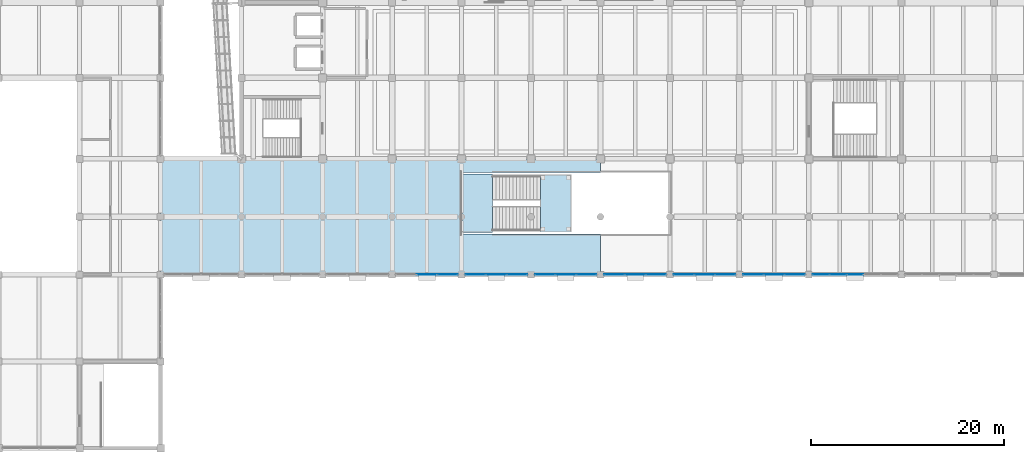
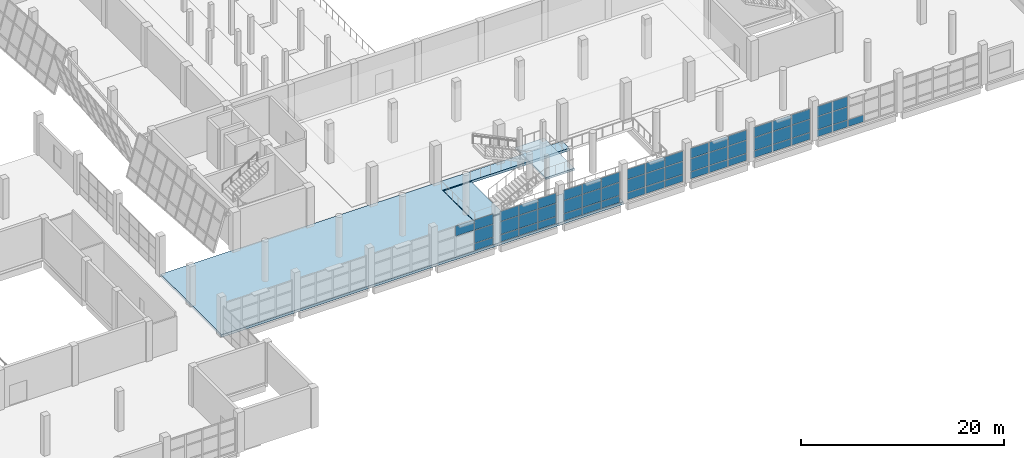
# One storey, part 68 of 91: 56 plates, 3 slabs, 8 elements without a shape of their own.
"""IFC4 building model written with IfcOpenShell, lengths in metres."""

from ifc_helpers import new_model, si_unit, direction, frame, origin, place, context, subcontext, project, spatial, polyline, outline, extrude, material, layer, layer_set, type_object, element, aggregate, save


model = new_model("IFC4")

# Units and contexts
model_context = context("Model", 3, precision=1e-05, world=origin(), true_north=direction((0.0, 1.0)))
body_context = subcontext(model_context, "Body", "Model", "MODEL_VIEW")
ifc_project = project(units=[si_unit("LENGTHUNIT", "METRE"), si_unit("AREAUNIT", "SQUARE_METRE"), si_unit("VOLUMEUNIT", "CUBIC_METRE"), si_unit("PLANEANGLEUNIT", "RADIAN"), si_unit("MASSUNIT", "GRAM", prefix="KILO")], contexts=[model_context])

# Site, building, storey
site_placement = place(None, origin())
site = spatial("IfcSite", under=ifc_project, at=site_placement, CompositionType="ELEMENT")
building_placement = place(site_placement, origin())
building = spatial("IfcBuilding", under=site, at=building_placement, Name="Pellamere Symphony Hall", CompositionType="ELEMENT")
storey_placement = place(building_placement, frame((0.0, 0.0, 5.39990234375)))
storey = spatial("IfcBuildingStorey", under=building, at=storey_placement, Name="L01", CompositionType="ELEMENT", Elevation=5.39990234375)

# Curtain wall, plates
ifc_material_1 = material(Name="Thermally Broken Anodised Aluminium 6063-T6 Curtain Wall", Category="aluminium")
curtain_wall_type = type_object("IfcCurtainWallType", Name="Curtain Wall CW-02 (Winter-Garden South Concourse Curtain Wall)", PredefinedType="NOTDEFINED", material=ifc_material_1)
curtain_wall_1_placement = place(storey_placement, origin())
curtain_wall_1 = element("IfcCurtainWall", 1, at=curtain_wall_1_placement, inside=storey, type_object=curtain_wall_type, Name="Winter-Garden South Curtain Wall (L01 Bay 4)", PredefinedType="NOTDEFINED")
ifc_material_2 = material(Name="Triple Low-E Argon Acoustic Glazing 36mm", Category="glass")
ifc_layer_1 = layer(ifc_material_2, 0.035888671875, Name="Triple Low-E Argon Acoustic Glazing 36mm")
ifc_layer_set_1 = layer_set([ifc_layer_1], Name="Triple Low-E Argon Acoustic Glazing 36mm")
plate_type_1 = type_object("IfcPlateType", Name="Facade Panel GL-01 36mm", PredefinedType="CURTAIN_PANEL", material=ifc_layer_set_1)
plate_1_placement = place(storey_placement, frame((68.549072265625, 18.0, 2.52734375), z_axis=(0.0, -1.0, 0.0), x_axis=(1.0, 0.0, 0.0)))
plate_1 = element("IfcPlate", 2, at=plate_1_placement, type_object=plate_type_1, Name="CW2-069 crystal glass panel 2.3", PredefinedType="CURTAIN_PANEL", context=body_context, shape_type="SweptSolid", body=[
    extrude(outline(polyline([(0.0, 0.0), (2.101806640625, 0.0), (2.101806640625, 1.187744140625), (0.0, 1.187744140625), (0.0, 0.0)])), origin(), (0.0, 0.0, -1.0), 0.035888671875),
])
plate_2_placement = place(storey_placement, frame((70.7158203125, 18.0, 0.065185546875), z_axis=(0.0, -1.0, 0.0), x_axis=(1.0, 0.0, 0.0)))
plate_2 = element("IfcPlate", 3, at=plate_2_placement, type_object=plate_type_1, Name="CW2-069 crystal glass panel 3.1", PredefinedType="CURTAIN_PANEL", context=body_context, shape_type="SweptSolid", body=[
    extrude(outline(polyline([(0.0, 0.0), (2.069091796875, 0.0), (2.069091796875, 0.8095703125), (0.0, 0.8095703125), (0.0, 0.0)])), origin(), (0.0, 0.0, -1.0), 0.035888671875),
])
plate_3_placement = place(storey_placement, frame((70.7158203125, 18.0, 0.939697265625), z_axis=(0.0, -1.0, 0.0), x_axis=(1.0, 0.0, 0.0)))
plate_3 = element("IfcPlate", 4, at=plate_3_placement, type_object=plate_type_1, Name="CW2-069 crystal glass panel 3.2", PredefinedType="CURTAIN_PANEL", context=body_context, shape_type="SweptSolid", body=[
    extrude(outline(polyline([(0.0, 0.0), (2.069091796875, 0.0), (2.069091796875, 1.522705078125), (0.0, 1.522705078125), (0.0, 0.0)])), origin(), (0.0, 0.0, -1.0), 0.035888671875),
])
plate_4_placement = place(storey_placement, frame((70.7158203125, 18.0, 2.52734375), z_axis=(0.0, -1.0, 0.0), x_axis=(1.0, 0.0, 0.0)))
plate_4 = element("IfcPlate", 5, at=plate_4_placement, type_object=plate_type_1, Name="CW2-069 crystal glass panel 3.3", PredefinedType="CURTAIN_PANEL", context=body_context, shape_type="SweptSolid", body=[
    extrude(outline(polyline([(0.0, 0.0), (2.069091796875, 0.0), (2.069091796875, 1.187744140625), (0.0, 1.187744140625), (0.0, 0.0)])), origin(), (0.0, 0.0, -1.0), 0.035888671875),
])
aggregate(curtain_wall_1, [plate_1, plate_2, plate_3, plate_4])

curtain_wall_2_placement = place(storey_placement, origin())
curtain_wall_2 = element("IfcCurtainWall", 6, at=curtain_wall_2_placement, inside=storey, type_object=curtain_wall_type, Name="Winter-Garden South Curtain Wall (L01 Bay 5)", PredefinedType="NOTDEFINED")
plate_5_placement = place(storey_placement, frame((73.614990234375, 18.0, 0.065185546875), z_axis=(0.0, -1.0, 0.0), x_axis=(1.0, 0.0, 0.0)))
plate_5 = element("IfcPlate", 7, at=plate_5_placement, type_object=plate_type_1, Name="CW2-070 crystal glass panel 1.1", PredefinedType="CURTAIN_PANEL", context=body_context, shape_type="SweptSolid", body=[
    extrude(outline(polyline([(0.0, 0.0), (2.069091796875, 0.0), (2.069091796875, 0.8095703125), (0.0, 0.8095703125), (0.0, 0.0)])), origin(), (0.0, 0.0, -1.0), 0.035888671875),
])
plate_6_placement = place(storey_placement, frame((73.614990234375, 18.0, 0.939697265625), z_axis=(0.0, -1.0, 0.0), x_axis=(1.0, 0.0, 0.0)))
plate_6 = element("IfcPlate", 8, at=plate_6_placement, type_object=plate_type_1, Name="CW2-070 crystal glass panel 1.2", PredefinedType="CURTAIN_PANEL", context=body_context, shape_type="SweptSolid", body=[
    extrude(outline(polyline([(0.0, 0.0), (2.069091796875, 0.0), (2.069091796875, 1.522705078125), (0.0, 1.522705078125), (0.0, 0.0)])), origin(), (0.0, 0.0, -1.0), 0.035888671875),
])
plate_7_placement = place(storey_placement, frame((73.614990234375, 18.0, 2.52734375), z_axis=(0.0, -1.0, 0.0), x_axis=(1.0, 0.0, 0.0)))
plate_7 = element("IfcPlate", 9, at=plate_7_placement, type_object=plate_type_1, Name="CW2-070 crystal glass panel 1.3", PredefinedType="CURTAIN_PANEL", context=body_context, shape_type="SweptSolid", body=[
    extrude(outline(polyline([(0.0, 0.0), (2.069091796875, 0.0), (2.069091796875, 1.187744140625), (0.0, 1.187744140625), (0.0, 0.0)])), origin(), (0.0, 0.0, -1.0), 0.035888671875),
])
plate_8_placement = place(storey_placement, frame((75.749267578125, 18.0, 0.065185546875), z_axis=(0.0, -1.0, 0.0), x_axis=(1.0, 0.0, 0.0)))
plate_8 = element("IfcPlate", 10, at=plate_8_placement, type_object=plate_type_1, Name="CW2-070 crystal glass panel 2.1", PredefinedType="CURTAIN_PANEL", context=body_context, shape_type="SweptSolid", body=[
    extrude(outline(polyline([(0.0, 0.0), (2.1015625, 0.0), (2.1015625, 0.8095703125), (0.0, 0.8095703125), (0.0, 0.0)])), origin(), (0.0, 0.0, -1.0), 0.035888671875),
])
plate_9_placement = place(storey_placement, frame((75.749267578125, 18.0, 0.939697265625), z_axis=(0.0, -1.0, 0.0), x_axis=(1.0, 0.0, 0.0)))
plate_9 = element("IfcPlate", 11, at=plate_9_placement, type_object=plate_type_1, Name="CW2-070 crystal glass panel 2.2", PredefinedType="CURTAIN_PANEL", context=body_context, shape_type="SweptSolid", body=[
    extrude(outline(polyline([(0.0, 0.0), (2.1015625, 0.0), (2.1015625, 1.522705078125), (0.0, 1.522705078125), (0.0, 0.0)])), origin(), (0.0, 0.0, -1.0), 0.035888671875),
])
plate_10_placement = place(storey_placement, frame((75.749267578125, 18.0, 2.52734375), z_axis=(0.0, -1.0, 0.0), x_axis=(1.0, 0.0, 0.0)))
plate_10 = element("IfcPlate", 12, at=plate_10_placement, type_object=plate_type_1, Name="CW2-070 crystal glass panel 2.3", PredefinedType="CURTAIN_PANEL", context=body_context, shape_type="SweptSolid", body=[
    extrude(outline(polyline([(0.0, 0.0), (2.1015625, 0.0), (2.1015625, 1.187744140625), (0.0, 1.187744140625), (0.0, 0.0)])), origin(), (0.0, 0.0, -1.0), 0.035888671875),
])
plate_11_placement = place(storey_placement, frame((77.915771484375, 18.0, 0.065185546875), z_axis=(0.0, -1.0, 0.0), x_axis=(1.0, 0.0, 0.0)))
plate_11 = element("IfcPlate", 13, at=plate_11_placement, type_object=plate_type_1, Name="CW2-070 crystal glass panel 3.1", PredefinedType="CURTAIN_PANEL", context=body_context, shape_type="SweptSolid", body=[
    extrude(outline(polyline([(0.0, 0.0), (2.0693359375, 0.0), (2.0693359375, 0.8095703125), (0.0, 0.8095703125), (0.0, 0.0)])), origin(), (0.0, 0.0, -1.0), 0.035888671875),
])
plate_12_placement = place(storey_placement, frame((77.915771484375, 18.0, 0.939697265625), z_axis=(0.0, -1.0, 0.0), x_axis=(1.0, 0.0, 0.0)))
plate_12 = element("IfcPlate", 14, at=plate_12_placement, type_object=plate_type_1, Name="CW2-070 crystal glass panel 3.2", PredefinedType="CURTAIN_PANEL", context=body_context, shape_type="SweptSolid", body=[
    extrude(outline(polyline([(0.0, 0.0), (2.0693359375, 0.0), (2.0693359375, 1.522705078125), (0.0, 1.522705078125), (0.0, 0.0)])), origin(), (0.0, 0.0, -1.0), 0.035888671875),
])
plate_13_placement = place(storey_placement, frame((77.915771484375, 18.0, 2.52734375), z_axis=(0.0, -1.0, 0.0), x_axis=(1.0, 0.0, 0.0)))
plate_13 = element("IfcPlate", 15, at=plate_13_placement, type_object=plate_type_1, Name="CW2-070 crystal glass panel 3.3", PredefinedType="CURTAIN_PANEL", context=body_context, shape_type="SweptSolid", body=[
    extrude(outline(polyline([(0.0, 0.0), (2.0693359375, 0.0), (2.0693359375, 1.187744140625), (0.0, 1.187744140625), (0.0, 0.0)])), origin(), (0.0, 0.0, -1.0), 0.035888671875),
])
aggregate(curtain_wall_2, [plate_5, plate_6, plate_7, plate_8, plate_9, plate_10, plate_11, plate_12, plate_13])

curtain_wall_3_placement = place(storey_placement, origin())
curtain_wall_3 = element("IfcCurtainWall", 16, at=curtain_wall_3_placement, inside=storey, type_object=curtain_wall_type, Name="Winter-Garden South Curtain Wall (L01 Bay 7)", PredefinedType="NOTDEFINED")
plate_14_placement = place(storey_placement, frame((88.014892578125, 18.0, 0.065185546875), z_axis=(0.0, -1.0, 0.0), x_axis=(1.0, 0.0, 0.0)))
plate_14 = element("IfcPlate", 17, at=plate_14_placement, type_object=plate_type_1, Name="CW2-072 crystal glass panel 1.1", PredefinedType="CURTAIN_PANEL", context=body_context, shape_type="SweptSolid", body=[
    extrude(outline(polyline([(0.0, 0.0), (2.0693359375, 0.0), (2.0693359375, 0.8095703125), (0.0, 0.8095703125), (0.0, 0.0)])), origin(), (0.0, 0.0, -1.0), 0.035888671875),
])
plate_15_placement = place(storey_placement, frame((88.014892578125, 18.0, 0.939697265625), z_axis=(0.0, -1.0, 0.0), x_axis=(1.0, 0.0, 0.0)))
plate_15 = element("IfcPlate", 18, at=plate_15_placement, type_object=plate_type_1, Name="CW2-072 crystal glass panel 1.2", PredefinedType="CURTAIN_PANEL", context=body_context, shape_type="SweptSolid", body=[
    extrude(outline(polyline([(0.0, 0.0), (2.0693359375, 0.0), (2.0693359375, 1.522705078125), (0.0, 1.522705078125), (0.0, 0.0)])), origin(), (0.0, 0.0, -1.0), 0.035888671875),
])
plate_16_placement = place(storey_placement, frame((88.014892578125, 18.0, 2.52734375), z_axis=(0.0, -1.0, 0.0), x_axis=(1.0, 0.0, 0.0)))
plate_16 = element("IfcPlate", 19, at=plate_16_placement, type_object=plate_type_1, Name="CW2-072 crystal glass panel 1.3", PredefinedType="CURTAIN_PANEL", context=body_context, shape_type="SweptSolid", body=[
    extrude(outline(polyline([(0.0, 0.0), (2.0693359375, 0.0), (2.0693359375, 1.187744140625), (0.0, 1.187744140625), (0.0, 0.0)])), origin(), (0.0, 0.0, -1.0), 0.035888671875),
])
plate_17_placement = place(storey_placement, frame((90.149169921875, 18.0, 0.065185546875), z_axis=(0.0, -1.0, 0.0), x_axis=(1.0, 0.0, 0.0)))
plate_17 = element("IfcPlate", 20, at=plate_17_placement, type_object=plate_type_1, Name="CW2-072 crystal glass panel 2.1", PredefinedType="CURTAIN_PANEL", context=body_context, shape_type="SweptSolid", body=[
    extrude(outline(polyline([(0.0, 0.0), (2.1015625, 0.0), (2.1015625, 0.8095703125), (0.0, 0.8095703125), (0.0, 0.0)])), origin(), (0.0, 0.0, -1.0), 0.035888671875),
])
plate_18_placement = place(storey_placement, frame((90.149169921875, 18.0, 0.939697265625), z_axis=(0.0, -1.0, 0.0), x_axis=(1.0, 0.0, 0.0)))
plate_18 = element("IfcPlate", 21, at=plate_18_placement, type_object=plate_type_1, Name="CW2-072 crystal glass panel 2.2", PredefinedType="CURTAIN_PANEL", context=body_context, shape_type="SweptSolid", body=[
    extrude(outline(polyline([(0.0, 0.0), (2.1015625, 0.0), (2.1015625, 1.522705078125), (0.0, 1.522705078125), (0.0, 0.0)])), origin(), (0.0, 0.0, -1.0), 0.035888671875),
])
plate_19_placement = place(storey_placement, frame((90.149169921875, 18.0, 2.52734375), z_axis=(0.0, -1.0, 0.0), x_axis=(1.0, 0.0, 0.0)))
plate_19 = element("IfcPlate", 22, at=plate_19_placement, type_object=plate_type_1, Name="CW2-072 crystal glass panel 2.3", PredefinedType="CURTAIN_PANEL", context=body_context, shape_type="SweptSolid", body=[
    extrude(outline(polyline([(0.0, 0.0), (2.1015625, 0.0), (2.1015625, 1.187744140625), (0.0, 1.187744140625), (0.0, 0.0)])), origin(), (0.0, 0.0, -1.0), 0.035888671875),
])
plate_20_placement = place(storey_placement, frame((92.31591796875, 18.0, 0.065185546875), z_axis=(0.0, -1.0, 0.0), x_axis=(1.0, 0.0, 0.0)))
plate_20 = element("IfcPlate", 23, at=plate_20_placement, type_object=plate_type_1, Name="CW2-072 crystal glass panel 3.1", PredefinedType="CURTAIN_PANEL", context=body_context, shape_type="SweptSolid", body=[
    extrude(outline(polyline([(0.0, 0.0), (2.069091796875, 0.0), (2.069091796875, 0.8095703125), (0.0, 0.8095703125), (0.0, 0.0)])), origin(), (0.0, 0.0, -1.0), 0.035888671875),
])
plate_21_placement = place(storey_placement, frame((92.31591796875, 18.0, 0.939697265625), z_axis=(0.0, -1.0, 0.0), x_axis=(1.0, 0.0, 0.0)))
plate_21 = element("IfcPlate", 24, at=plate_21_placement, type_object=plate_type_1, Name="CW2-072 crystal glass panel 3.2", PredefinedType="CURTAIN_PANEL", context=body_context, shape_type="SweptSolid", body=[
    extrude(outline(polyline([(0.0, 0.0), (2.069091796875, 0.0), (2.069091796875, 1.522705078125), (0.0, 1.522705078125), (0.0, 0.0)])), origin(), (0.0, 0.0, -1.0), 0.035888671875),
])
plate_22_placement = place(storey_placement, frame((92.31591796875, 18.0, 2.52734375), z_axis=(0.0, -1.0, 0.0), x_axis=(1.0, 0.0, 0.0)))
plate_22 = element("IfcPlate", 25, at=plate_22_placement, type_object=plate_type_1, Name="CW2-072 crystal glass panel 3.3", PredefinedType="CURTAIN_PANEL", context=body_context, shape_type="SweptSolid", body=[
    extrude(outline(polyline([(0.0, 0.0), (2.069091796875, 0.0), (2.069091796875, 1.187744140625), (0.0, 1.187744140625), (0.0, 0.0)])), origin(), (0.0, 0.0, -1.0), 0.035888671875),
])
aggregate(curtain_wall_3, [plate_14, plate_15, plate_16, plate_17, plate_18, plate_19, plate_20, plate_21, plate_22])

curtain_wall_4_placement = place(storey_placement, origin())
curtain_wall_4 = element("IfcCurtainWall", 26, at=curtain_wall_4_placement, inside=storey, type_object=curtain_wall_type, Name="Winter-Garden South Curtain Wall (L01 Bay 8)", PredefinedType="NOTDEFINED")
plate_23_placement = place(storey_placement, frame((95.215087890625, 18.0, 0.065185546875), z_axis=(0.0, -1.0, 0.0), x_axis=(1.0, 0.0, 0.0)))
plate_23 = element("IfcPlate", 27, at=plate_23_placement, type_object=plate_type_1, Name="CW2-073 crystal glass panel 1.1", PredefinedType="CURTAIN_PANEL", context=body_context, shape_type="SweptSolid", body=[
    extrude(outline(polyline([(0.0, 0.0), (2.069091796875, 0.0), (2.069091796875, 0.8095703125), (0.0, 0.8095703125), (0.0, 0.0)])), origin(), (0.0, 0.0, -1.0), 0.035888671875),
])
plate_24_placement = place(storey_placement, frame((95.215087890625, 18.0, 0.939697265625), z_axis=(0.0, -1.0, 0.0), x_axis=(1.0, 0.0, 0.0)))
plate_24 = element("IfcPlate", 28, at=plate_24_placement, type_object=plate_type_1, Name="CW2-073 crystal glass panel 1.2", PredefinedType="CURTAIN_PANEL", context=body_context, shape_type="SweptSolid", body=[
    extrude(outline(polyline([(0.0, 0.0), (2.069091796875, 0.0), (2.069091796875, 1.522705078125), (0.0, 1.522705078125), (0.0, 0.0)])), origin(), (0.0, 0.0, -1.0), 0.035888671875),
])
plate_25_placement = place(storey_placement, frame((95.215087890625, 18.0, 2.52734375), z_axis=(0.0, -1.0, 0.0), x_axis=(1.0, 0.0, 0.0)))
plate_25 = element("IfcPlate", 29, at=plate_25_placement, type_object=plate_type_1, Name="CW2-073 crystal glass panel 1.3", PredefinedType="CURTAIN_PANEL", context=body_context, shape_type="SweptSolid", body=[
    extrude(outline(polyline([(0.0, 0.0), (2.069091796875, 0.0), (2.069091796875, 1.187744140625), (0.0, 1.187744140625), (0.0, 0.0)])), origin(), (0.0, 0.0, -1.0), 0.035888671875),
])
plate_26_placement = place(storey_placement, frame((97.34912109375, 18.0, 0.065185546875), z_axis=(0.0, -1.0, 0.0), x_axis=(1.0, 0.0, 0.0)))
plate_26 = element("IfcPlate", 30, at=plate_26_placement, type_object=plate_type_1, Name="CW2-073 crystal glass panel 2.1", PredefinedType="CURTAIN_PANEL", context=body_context, shape_type="SweptSolid", body=[
    extrude(outline(polyline([(0.0, 0.0), (2.101806640625, 0.0), (2.101806640625, 0.8095703125), (0.0, 0.8095703125), (0.0, 0.0)])), origin(), (0.0, 0.0, -1.0), 0.035888671875),
])
plate_27_placement = place(storey_placement, frame((97.34912109375, 18.0, 0.939697265625), z_axis=(0.0, -1.0, 0.0), x_axis=(1.0, 0.0, 0.0)))
plate_27 = element("IfcPlate", 31, at=plate_27_placement, type_object=plate_type_1, Name="CW2-073 crystal glass panel 2.2", PredefinedType="CURTAIN_PANEL", context=body_context, shape_type="SweptSolid", body=[
    extrude(outline(polyline([(0.0, 0.0), (2.101806640625, 0.0), (2.101806640625, 1.522705078125), (0.0, 1.522705078125), (0.0, 0.0)])), origin(), (0.0, 0.0, -1.0), 0.035888671875),
])
plate_28_placement = place(storey_placement, frame((97.34912109375, 18.0, 2.52734375), z_axis=(0.0, -1.0, 0.0), x_axis=(1.0, 0.0, 0.0)))
plate_28 = element("IfcPlate", 32, at=plate_28_placement, type_object=plate_type_1, Name="CW2-073 crystal glass panel 2.3", PredefinedType="CURTAIN_PANEL", context=body_context, shape_type="SweptSolid", body=[
    extrude(outline(polyline([(0.0, 0.0), (2.101806640625, 0.0), (2.101806640625, 1.187744140625), (0.0, 1.187744140625), (0.0, 0.0)])), origin(), (0.0, 0.0, -1.0), 0.035888671875),
])
plate_29_placement = place(storey_placement, frame((99.515869140625, 18.0, 0.065185546875), z_axis=(0.0, -1.0, 0.0), x_axis=(1.0, 0.0, 0.0)))
plate_29 = element("IfcPlate", 33, at=plate_29_placement, type_object=plate_type_1, Name="CW2-073 crystal glass panel 3.1", PredefinedType="CURTAIN_PANEL", context=body_context, shape_type="SweptSolid", body=[
    extrude(outline(polyline([(0.0, 0.0), (2.069091796875, 0.0), (2.069091796875, 0.8095703125), (0.0, 0.8095703125), (0.0, 0.0)])), origin(), (0.0, 0.0, -1.0), 0.035888671875),
])
plate_30_placement = place(storey_placement, frame((99.515869140625, 18.0, 0.939697265625), z_axis=(0.0, -1.0, 0.0), x_axis=(1.0, 0.0, 0.0)))
plate_30 = element("IfcPlate", 34, at=plate_30_placement, type_object=plate_type_1, Name="CW2-073 crystal glass panel 3.2", PredefinedType="CURTAIN_PANEL", context=body_context, shape_type="SweptSolid", body=[
    extrude(outline(polyline([(0.0, 0.0), (2.069091796875, 0.0), (2.069091796875, 1.522705078125), (0.0, 1.522705078125), (0.0, 0.0)])), origin(), (0.0, 0.0, -1.0), 0.035888671875),
])
plate_31_placement = place(storey_placement, frame((99.515869140625, 18.0, 2.52734375), z_axis=(0.0, -1.0, 0.0), x_axis=(1.0, 0.0, 0.0)))
plate_31 = element("IfcPlate", 35, at=plate_31_placement, type_object=plate_type_1, Name="CW2-073 crystal glass panel 3.3", PredefinedType="CURTAIN_PANEL", context=body_context, shape_type="SweptSolid", body=[
    extrude(outline(polyline([(0.0, 0.0), (2.069091796875, 0.0), (2.069091796875, 1.187744140625), (0.0, 1.187744140625), (0.0, 0.0)])), origin(), (0.0, 0.0, -1.0), 0.035888671875),
])
aggregate(curtain_wall_4, [plate_23, plate_24, plate_25, plate_26, plate_27, plate_28, plate_29, plate_30, plate_31])

curtain_wall_5_placement = place(storey_placement, origin())
curtain_wall_5 = element("IfcCurtainWall", 36, at=curtain_wall_5_placement, inside=storey, type_object=curtain_wall_type, Name="Winter-Garden South Curtain Wall (L01 Bay 10)", PredefinedType="NOTDEFINED")
plate_32_placement = place(storey_placement, frame((109.614990234375, 18.0, 0.065185546875), z_axis=(0.0, -1.0, 0.0), x_axis=(1.0, 0.0, 0.0)))
plate_32 = element("IfcPlate", 37, at=plate_32_placement, type_object=plate_type_1, Name="CW2-075 crystal glass panel 1.1", PredefinedType="CURTAIN_PANEL", context=body_context, shape_type="SweptSolid", body=[
    extrude(outline(polyline([(0.0, 0.0), (1.6826171875, 0.0), (1.6826171875, 0.8095703125), (0.0, 0.8095703125), (0.0, 0.0)])), origin(), (0.0, 0.0, -1.0), 0.035888671875),
])
plate_33_placement = place(storey_placement, frame((109.614990234375, 18.0, 0.939697265625), z_axis=(0.0, -1.0, 0.0), x_axis=(1.0, 0.0, 0.0)))
plate_33 = element("IfcPlate", 38, at=plate_33_placement, type_object=plate_type_1, Name="CW2-075 crystal glass panel 1.2", PredefinedType="CURTAIN_PANEL", context=body_context, shape_type="SweptSolid", body=[
    extrude(outline(polyline([(0.0, 0.0), (1.6826171875, 0.0), (1.6826171875, 1.522705078125), (0.0, 1.522705078125), (0.0, 0.0)])), origin(), (0.0, 0.0, -1.0), 0.035888671875),
])
plate_34_placement = place(storey_placement, frame((109.614990234375, 18.0, 2.52734375), z_axis=(0.0, -1.0, 0.0), x_axis=(1.0, 0.0, 0.0)))
plate_34 = element("IfcPlate", 39, at=plate_34_placement, type_object=plate_type_1, Name="CW2-075 crystal glass panel 1.3", PredefinedType="CURTAIN_PANEL", context=body_context, shape_type="SweptSolid", body=[
    extrude(outline(polyline([(0.0, 0.0), (1.6826171875, 0.0), (1.6826171875, 1.187744140625), (0.0, 1.187744140625), (0.0, 0.0)])), origin(), (0.0, 0.0, -1.0), 0.035888671875),
])
plate_35_placement = place(storey_placement, frame((111.362548828125, 18.0, 0.065185546875), z_axis=(0.0, -1.0, 0.0), x_axis=(1.0, 0.0, 0.0)))
plate_35 = element("IfcPlate", 40, at=plate_35_placement, type_object=plate_type_1, Name="CW2-075 crystal glass panel 2.1", PredefinedType="CURTAIN_PANEL", context=body_context, shape_type="SweptSolid", body=[
    extrude(outline(polyline([(0.0, 0.0), (1.71484375, 0.0), (1.71484375, 0.8095703125), (0.0, 0.8095703125), (0.0, 0.0)])), origin(), (0.0, 0.0, -1.0), 0.035888671875),
])
plate_36_placement = place(storey_placement, frame((111.362548828125, 18.0, 0.939697265625), z_axis=(0.0, -1.0, 0.0), x_axis=(1.0, 0.0, 0.0)))
plate_36 = element("IfcPlate", 41, at=plate_36_placement, type_object=plate_type_1, Name="CW2-075 crystal glass panel 2.2", PredefinedType="CURTAIN_PANEL", context=body_context, shape_type="SweptSolid", body=[
    extrude(outline(polyline([(0.0, 0.0), (1.71484375, 0.0), (1.71484375, 1.522705078125), (0.0, 1.522705078125), (0.0, 0.0)])), origin(), (0.0, 0.0, -1.0), 0.035888671875),
])
plate_37_placement = place(storey_placement, frame((111.362548828125, 18.0, 2.52734375), z_axis=(0.0, -1.0, 0.0), x_axis=(1.0, 0.0, 0.0)))
plate_37 = element("IfcPlate", 42, at=plate_37_placement, type_object=plate_type_1, Name="CW2-075 crystal glass panel 2.3", PredefinedType="CURTAIN_PANEL", context=body_context, shape_type="SweptSolid", body=[
    extrude(outline(polyline([(0.0, 0.0), (1.71484375, 0.0), (1.71484375, 1.187744140625), (0.0, 1.187744140625), (0.0, 0.0)])), origin(), (0.0, 0.0, -1.0), 0.035888671875),
])
plate_38_placement = place(storey_placement, frame((113.142578125, 18.0, 0.065185546875), z_axis=(0.0, -1.0, 0.0), x_axis=(1.0, 0.0, 0.0)))
plate_38 = element("IfcPlate", 43, at=plate_38_placement, type_object=plate_type_1, Name="CW2-075 crystal glass panel 3.1", PredefinedType="CURTAIN_PANEL", context=body_context, shape_type="SweptSolid", body=[
    extrude(outline(polyline([(0.0, 0.0), (1.71484375, 0.0), (1.71484375, 0.8095703125), (0.0, 0.8095703125), (0.0, 0.0)])), origin(), (0.0, 0.0, -1.0), 0.035888671875),
])
aggregate(curtain_wall_5, [plate_32, plate_33, plate_34, plate_35, plate_36, plate_37, plate_38])

curtain_wall_6_placement = place(storey_placement, origin())
curtain_wall_6 = element("IfcCurtainWall", 44, at=curtain_wall_6_placement, inside=storey, type_object=curtain_wall_type, Name="Winter-Garden South Curtain Wall (L01 Bay 6)", PredefinedType="NOTDEFINED")
ifc_material_3 = material(Name="Mineral-Wool Insulated Dark Zinc Spandrel Panel", Category="aluminium")
ifc_layer_2 = layer(ifc_material_3, 0.054931640625, Name="Mineral-Wool Insulated Dark Zinc Spandrel Panel")
ifc_layer_set_2 = layer_set([ifc_layer_2], Name="Mineral-Wool Insulated Dark Zinc Spandrel Panel")
plate_type_2 = type_object("IfcPlateType", Name="Facade Panel SP-02 55mm", PredefinedType="CURTAIN_PANEL", material=ifc_layer_set_2)
plate_39_placement = place(storey_placement, frame((80.81494140625, 18.0, 0.065185546875), z_axis=(0.0, -1.0, 0.0), x_axis=(1.0, 0.0, 0.0)))
plate_39 = element("IfcPlate", 45, at=plate_39_placement, type_object=plate_type_2, Name="CW2-071 crystal glass panel 1.1", PredefinedType="CURTAIN_PANEL", context=body_context, shape_type="SweptSolid", body=[
    extrude(outline(polyline([(0.0, 0.0), (2.0693359375, 0.0), (2.0693359375, 0.8095703125), (0.0, 0.8095703125), (0.0, 0.0)])), origin(), (0.0, 0.0, -1.0), 0.054931640625),
])
plate_40_placement = place(storey_placement, frame((80.81494140625, 18.0, 0.939697265625), z_axis=(0.0, -1.0, 0.0), x_axis=(1.0, 0.0, 0.0)))
plate_40 = element("IfcPlate", 46, at=plate_40_placement, type_object=plate_type_2, Name="CW2-071 crystal glass panel 1.2", PredefinedType="CURTAIN_PANEL", context=body_context, shape_type="SweptSolid", body=[
    extrude(outline(polyline([(0.0, 0.0), (2.0693359375, 0.0), (2.0693359375, 1.522705078125), (0.0, 1.522705078125), (0.0, 0.0)])), origin(), (0.0, 0.0, -1.0), 0.054931640625),
])
plate_41_placement = place(storey_placement, frame((80.81494140625, 18.0, 2.52734375), z_axis=(0.0, -1.0, 0.0), x_axis=(1.0, 0.0, 0.0)))
plate_41 = element("IfcPlate", 47, at=plate_41_placement, type_object=plate_type_2, Name="CW2-071 crystal glass panel 1.3", PredefinedType="CURTAIN_PANEL", context=body_context, shape_type="SweptSolid", body=[
    extrude(outline(polyline([(0.0, 0.0), (2.0693359375, 0.0), (2.0693359375, 1.187744140625), (0.0, 1.187744140625), (0.0, 0.0)])), origin(), (0.0, 0.0, -1.0), 0.054931640625),
])
plate_42_placement = place(storey_placement, frame((82.94921875, 18.0, 0.065185546875), z_axis=(0.0, -1.0, 0.0), x_axis=(1.0, 0.0, 0.0)))
plate_42 = element("IfcPlate", 48, at=plate_42_placement, type_object=plate_type_2, Name="CW2-071 crystal glass panel 2.1", PredefinedType="CURTAIN_PANEL", context=body_context, shape_type="SweptSolid", body=[
    extrude(outline(polyline([(0.0, 0.0), (2.1015625, 0.0), (2.1015625, 0.8095703125), (0.0, 0.8095703125), (0.0, 0.0)])), origin(), (0.0, 0.0, -1.0), 0.054931640625),
])
plate_43_placement = place(storey_placement, frame((82.94921875, 18.0, 0.939697265625), z_axis=(0.0, -1.0, 0.0), x_axis=(1.0, 0.0, 0.0)))
plate_43 = element("IfcPlate", 49, at=plate_43_placement, type_object=plate_type_2, Name="CW2-071 crystal glass panel 2.2", PredefinedType="CURTAIN_PANEL", context=body_context, shape_type="SweptSolid", body=[
    extrude(outline(polyline([(0.0, 0.0), (2.1015625, 0.0), (2.1015625, 1.522705078125), (0.0, 1.522705078125), (0.0, 0.0)])), origin(), (0.0, 0.0, -1.0), 0.054931640625),
])
plate_44_placement = place(storey_placement, frame((82.94921875, 18.0, 2.52734375), z_axis=(0.0, -1.0, 0.0), x_axis=(1.0, 0.0, 0.0)))
plate_44 = element("IfcPlate", 50, at=plate_44_placement, type_object=plate_type_2, Name="CW2-071 crystal glass panel 2.3", PredefinedType="CURTAIN_PANEL", context=body_context, shape_type="SweptSolid", body=[
    extrude(outline(polyline([(0.0, 0.0), (2.1015625, 0.0), (2.1015625, 1.187744140625), (0.0, 1.187744140625), (0.0, 0.0)])), origin(), (0.0, 0.0, -1.0), 0.054931640625),
])
plate_45_placement = place(storey_placement, frame((85.11572265625, 18.0, 0.065185546875), z_axis=(0.0, -1.0, 0.0), x_axis=(1.0, 0.0, 0.0)))
plate_45 = element("IfcPlate", 51, at=plate_45_placement, type_object=plate_type_2, Name="CW2-071 crystal glass panel 3.1", PredefinedType="CURTAIN_PANEL", context=body_context, shape_type="SweptSolid", body=[
    extrude(outline(polyline([(0.0, 0.0), (2.0693359375, 0.0), (2.0693359375, 0.8095703125), (0.0, 0.8095703125), (0.0, 0.0)])), origin(), (0.0, 0.0, -1.0), 0.054931640625),
])
plate_46_placement = place(storey_placement, frame((85.11572265625, 18.0, 0.939697265625), z_axis=(0.0, -1.0, 0.0), x_axis=(1.0, 0.0, 0.0)))
plate_46 = element("IfcPlate", 52, at=plate_46_placement, type_object=plate_type_2, Name="CW2-071 crystal glass panel 3.2", PredefinedType="CURTAIN_PANEL", context=body_context, shape_type="SweptSolid", body=[
    extrude(outline(polyline([(0.0, 0.0), (2.0693359375, 0.0), (2.0693359375, 1.522705078125), (0.0, 1.522705078125), (0.0, 0.0)])), origin(), (0.0, 0.0, -1.0), 0.054931640625),
])
plate_47_placement = place(storey_placement, frame((85.11572265625, 18.0, 2.52734375), z_axis=(0.0, -1.0, 0.0), x_axis=(1.0, 0.0, 0.0)))
plate_47 = element("IfcPlate", 53, at=plate_47_placement, type_object=plate_type_2, Name="CW2-071 crystal glass panel 3.3", PredefinedType="CURTAIN_PANEL", context=body_context, shape_type="SweptSolid", body=[
    extrude(outline(polyline([(0.0, 0.0), (2.0693359375, 0.0), (2.0693359375, 1.187744140625), (0.0, 1.187744140625), (0.0, 0.0)])), origin(), (0.0, 0.0, -1.0), 0.054931640625),
])
aggregate(curtain_wall_6, [plate_39, plate_40, plate_41, plate_42, plate_43, plate_44, plate_45, plate_46, plate_47])

curtain_wall_7_placement = place(storey_placement, origin())
curtain_wall_7 = element("IfcCurtainWall", 54, at=curtain_wall_7_placement, inside=storey, type_object=curtain_wall_type, Name="Winter-Garden South Curtain Wall (L01 Bay 9)", PredefinedType="NOTDEFINED")
plate_48_placement = place(storey_placement, frame((102.4150390625, 18.0, 0.065185546875), z_axis=(0.0, -1.0, 0.0), x_axis=(1.0, 0.0, 0.0)))
plate_48 = element("IfcPlate", 55, at=plate_48_placement, type_object=plate_type_2, Name="CW2-074 crystal glass panel 1.1", PredefinedType="CURTAIN_PANEL", context=body_context, shape_type="SweptSolid", body=[
    extrude(outline(polyline([(0.0, 0.0), (2.069091796875, 0.0), (2.069091796875, 0.8095703125), (0.0, 0.8095703125), (0.0, 0.0)])), origin(), (0.0, 0.0, -1.0), 0.054931640625),
])
plate_49_placement = place(storey_placement, frame((102.4150390625, 18.0, 0.939697265625), z_axis=(0.0, -1.0, 0.0), x_axis=(1.0, 0.0, 0.0)))
plate_49 = element("IfcPlate", 56, at=plate_49_placement, type_object=plate_type_2, Name="CW2-074 crystal glass panel 1.2", PredefinedType="CURTAIN_PANEL", context=body_context, shape_type="SweptSolid", body=[
    extrude(outline(polyline([(0.0, 0.0), (2.069091796875, 0.0), (2.069091796875, 1.522705078125), (0.0, 1.522705078125), (0.0, 0.0)])), origin(), (0.0, 0.0, -1.0), 0.054931640625),
])
plate_50_placement = place(storey_placement, frame((102.4150390625, 18.0, 2.52734375), z_axis=(0.0, -1.0, 0.0), x_axis=(1.0, 0.0, 0.0)))
plate_50 = element("IfcPlate", 57, at=plate_50_placement, type_object=plate_type_2, Name="CW2-074 crystal glass panel 1.3", PredefinedType="CURTAIN_PANEL", context=body_context, shape_type="SweptSolid", body=[
    extrude(outline(polyline([(0.0, 0.0), (2.069091796875, 0.0), (2.069091796875, 1.187744140625), (0.0, 1.187744140625), (0.0, 0.0)])), origin(), (0.0, 0.0, -1.0), 0.054931640625),
])
plate_51_placement = place(storey_placement, frame((104.549072265625, 18.0, 0.065185546875), z_axis=(0.0, -1.0, 0.0), x_axis=(1.0, 0.0, 0.0)))
plate_51 = element("IfcPlate", 58, at=plate_51_placement, type_object=plate_type_2, Name="CW2-074 crystal glass panel 2.1", PredefinedType="CURTAIN_PANEL", context=body_context, shape_type="SweptSolid", body=[
    extrude(outline(polyline([(0.0, 0.0), (2.101806640625, 0.0), (2.101806640625, 0.8095703125), (0.0, 0.8095703125), (0.0, 0.0)])), origin(), (0.0, 0.0, -1.0), 0.054931640625),
])
plate_52_placement = place(storey_placement, frame((104.549072265625, 18.0, 0.939697265625), z_axis=(0.0, -1.0, 0.0), x_axis=(1.0, 0.0, 0.0)))
plate_52 = element("IfcPlate", 59, at=plate_52_placement, type_object=plate_type_2, Name="CW2-074 crystal glass panel 2.2", PredefinedType="CURTAIN_PANEL", context=body_context, shape_type="SweptSolid", body=[
    extrude(outline(polyline([(0.0, 0.0), (2.101806640625, 0.0), (2.101806640625, 1.522705078125), (0.0, 1.522705078125), (0.0, 0.0)])), origin(), (0.0, 0.0, -1.0), 0.054931640625),
])
plate_53_placement = place(storey_placement, frame((104.549072265625, 18.0, 2.52734375), z_axis=(0.0, -1.0, 0.0), x_axis=(1.0, 0.0, 0.0)))
plate_53 = element("IfcPlate", 60, at=plate_53_placement, type_object=plate_type_2, Name="CW2-074 crystal glass panel 2.3", PredefinedType="CURTAIN_PANEL", context=body_context, shape_type="SweptSolid", body=[
    extrude(outline(polyline([(0.0, 0.0), (2.101806640625, 0.0), (2.101806640625, 1.187744140625), (0.0, 1.187744140625), (0.0, 0.0)])), origin(), (0.0, 0.0, -1.0), 0.054931640625),
])
plate_54_placement = place(storey_placement, frame((106.7158203125, 18.0, 0.065185546875), z_axis=(0.0, -1.0, 0.0), x_axis=(1.0, 0.0, 0.0)))
plate_54 = element("IfcPlate", 61, at=plate_54_placement, type_object=plate_type_2, Name="CW2-074 crystal glass panel 3.1", PredefinedType="CURTAIN_PANEL", context=body_context, shape_type="SweptSolid", body=[
    extrude(outline(polyline([(0.0, 0.0), (2.069091796875, 0.0), (2.069091796875, 0.8095703125), (0.0, 0.8095703125), (0.0, 0.0)])), origin(), (0.0, 0.0, -1.0), 0.054931640625),
])
plate_55_placement = place(storey_placement, frame((106.7158203125, 18.0, 0.939697265625), z_axis=(0.0, -1.0, 0.0), x_axis=(1.0, 0.0, 0.0)))
plate_55 = element("IfcPlate", 62, at=plate_55_placement, type_object=plate_type_2, Name="CW2-074 crystal glass panel 3.2", PredefinedType="CURTAIN_PANEL", context=body_context, shape_type="SweptSolid", body=[
    extrude(outline(polyline([(0.0, 0.0), (2.069091796875, 0.0), (2.069091796875, 1.522705078125), (0.0, 1.522705078125), (0.0, 0.0)])), origin(), (0.0, 0.0, -1.0), 0.054931640625),
])
plate_56_placement = place(storey_placement, frame((106.7158203125, 18.0, 2.52734375), z_axis=(0.0, -1.0, 0.0), x_axis=(1.0, 0.0, 0.0)))
plate_56 = element("IfcPlate", 63, at=plate_56_placement, type_object=plate_type_2, Name="CW2-074 crystal glass panel 3.3", PredefinedType="CURTAIN_PANEL", context=body_context, shape_type="SweptSolid", body=[
    extrude(outline(polyline([(0.0, 0.0), (2.069091796875, 0.0), (2.069091796875, 1.187744140625), (0.0, 1.187744140625), (0.0, 0.0)])), origin(), (0.0, 0.0, -1.0), 0.054931640625),
])
aggregate(curtain_wall_7, [plate_48, plate_49, plate_50, plate_51, plate_52, plate_53, plate_54, plate_55, plate_56])

# Stair, slabs
ifc_material_4 = material(Name="Architectural warm-pigmented concrete 40 MPa", Category="concrete")
stair_type = type_object("IfcStairType", Name="Stair ST-F W2400", PredefinedType="HALF_TURN_STAIR", material=ifc_material_4)
stair_placement = place(storey_placement, origin())
stair = element("IfcStair", 64, at=stair_placement, inside=storey, type_object=stair_type, Name="Winter-Garden Feature Stair L01 to L02", PredefinedType="HALF_TURN_STAIR")
ifc_layer_3 = layer(ifc_material_4, 0.239990234375, Name="Architectural warm-pigmented concrete 40 MPa")
ifc_layer_set_3 = layer_set([ifc_layer_3], Name="Architectural warm-pigmented concrete 40 MPa")
slab_type_1 = type_object("IfcSlabType", Name="Stair Landing SL-02 240mm", PredefinedType="LANDING", material=ifc_layer_set_3)
slab_1_placement = place(storey_placement, frame((0.0, 0.0, -0.239990234375)))
slab_1 = element("IfcSlab", 65, at=slab_1_placement, type_object=slab_type_1, Name="Feature Stair Bridge Landing L01", PredefinedType="LANDING", context=body_context, shape_type="SweptSolid", body=[
    extrude(outline(polyline([(73.25, 22.35009765625), (76.39990234375, 22.35009765625), (76.39990234375, 28.449951171875), (73.25, 28.449951171875), (73.25, 22.35009765625)])), origin(), (0.0, 0.0, 1.0), 0.239990234375),
])
slab_2_placement = place(storey_placement, frame((0.0, 0.0, 2.16015625)))
slab_2 = element("IfcSlab", 66, at=slab_2_placement, type_object=slab_type_1, Name="Feature Stair Mid Landing (L01)", PredefinedType="LANDING", context=body_context, shape_type="SweptSolid", body=[
    extrude(outline(polyline([(81.360107421875, 22.39990234375), (84.60009765625, 22.39990234375), (84.60009765625, 28.39990234375), (81.360107421875, 28.39990234375), (81.360107421875, 22.39990234375)])), origin(), (0.0, 0.0, 1.0), 0.239990234375),
])
aggregate(stair, [slab_1, slab_2])

# Slab
ifc_material_5 = material(Name="Concrete 40 MPa", Category="concrete")
ifc_layer_4 = layer(ifc_material_5, 0.300048828125, Name="Concrete 40 MPa")
ifc_layer_set_4 = layer_set([ifc_layer_4], Name="Concrete 40 MPa")
slab_type_2 = type_object("IfcSlabType", Name="Structural Slab FS-02 300mm", PredefinedType="FLOOR", material=ifc_layer_set_4)
slab_3_placement = place(storey_placement, frame((0.0, 0.0, -0.2998046875)))
element("IfcSlab", 67, at=slab_3_placement, inside=storey, type_object=slab_type_2, Name="Floor Slab L01-V4W-1", PredefinedType="FLOOR", context=body_context, shape_type="SweptSolid", body=[
    extrude(outline(polyline([(87.60009765625, 18.0), (42.0, 18.0), (42.0, 30.0), (50.39990234375, 30.0), (58.800048828125, 30.0), (87.60009765625, 30.0), (87.60009765625, 28.60009765625), (73.199951171875, 28.60009765625), (73.199951171875, 22.199951171875), (87.60009765625, 22.199951171875), (87.60009765625, 18.0)])), origin(), (0.0, 0.0, 1.0), 0.2998046875),
])

save(model, "model.ifc")
